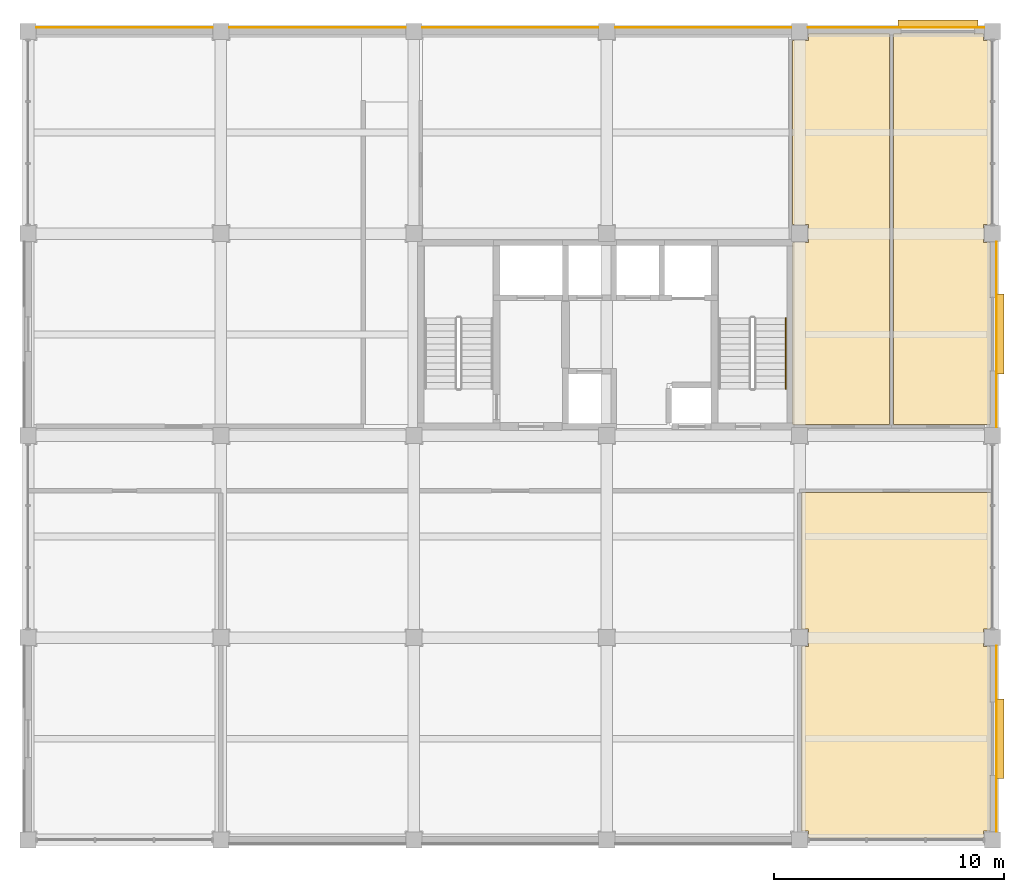
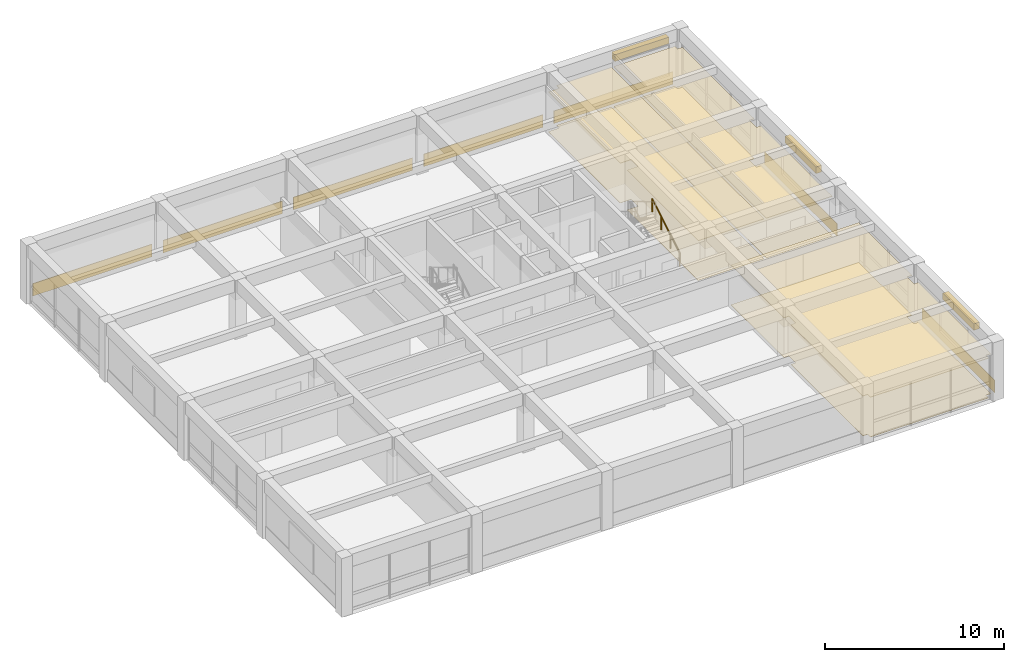
# One storey, part 14 of 14: 13 coverings, 3 shading devices, 1 railing.
"""IFC4 building model written with IfcOpenShell, lengths in metres."""

from ifc_helpers import new_model, si_unit, direction, frame, origin, origin_2d, place, context, subcontext, project, spatial, polyline, rectangle, circle, outline, extrude, material, layer, layer_set, type_object, element, save


model = new_model("IFC4")

# Units and contexts
model_context = context("Model", 3, precision=1e-05, world=origin(), true_north=direction((0.0, 1.0)))
body_context = subcontext(model_context, "Body", "Model", "MODEL_VIEW")
ifc_project = project(units=[si_unit("LENGTHUNIT", "METRE"), si_unit("AREAUNIT", "SQUARE_METRE"), si_unit("VOLUMEUNIT", "CUBIC_METRE"), si_unit("PLANEANGLEUNIT", "RADIAN"), si_unit("MASSUNIT", "GRAM", prefix="KILO")], contexts=[model_context])

# Site, building, storey
site_placement = place(None, origin())
site = spatial("IfcSite", under=ifc_project, at=site_placement, CompositionType="ELEMENT")
building_placement = place(site_placement, origin())
building = spatial("IfcBuilding", under=site, at=building_placement, Name="Kemercrest Conservatory and Botanical Centre", CompositionType="ELEMENT")
storey_placement = place(building_placement, frame((0.0, 0.0, 28.800048828125)))
storey = spatial("IfcBuildingStorey", under=building, at=storey_placement, Name="L07", CompositionType="ELEMENT", Elevation=28.800048828125)

# Coverings
ifc_material_1 = material(Name="Honed limestone almasik ashlar rainscreen", Category="masonry")
ifc_layer_1 = layer(ifc_material_1, 0.0400390625)
ifc_layer_set_1 = layer_set([ifc_layer_1], Name="Honed limestone almasik ashlar rainscreen")
covering_type_1 = type_object("IfcCoveringType", Name="CV-CLD040", PredefinedType="CLADDING", material=ifc_layer_set_1)
covering_1_placement = place(storey_placement, origin())
element("IfcCovering", 1, at=covering_1_placement, inside=storey, type_object=covering_type_1, Name="Exterior stone spandrel cladding (WAL:L07:EXT-265)", PredefinedType="CLADDING", context=body_context, shape_type="SweptSolid", body=[
    extrude(outline(polyline([(176.14990234375, 87.56005859375), (176.18994140625, 87.56005859375), (176.18994140625, 95.639892578125), (176.14990234375, 95.639892578125), (176.14990234375, 87.56005859375)])), origin(), (0.0, 0.0, 1.0), 0.849853515625),
])
covering_2_placement = place(storey_placement, origin())
element("IfcCovering", 2, at=covering_2_placement, inside=storey, type_object=covering_type_1, Name="Exterior stone spandrel cladding (WAL:L07:EXT-266)", PredefinedType="CLADDING", context=body_context, shape_type="SweptSolid", body=[
    extrude(outline(polyline([(176.14990234375, 105.159912109375), (176.18994140625, 105.159912109375), (176.18994140625, 113.239990234375), (176.14990234375, 113.239990234375), (176.14990234375, 105.159912109375)])), origin(), (0.0, 0.0, 1.0), 0.849853515625),
])
covering_3_placement = place(storey_placement, origin())
element("IfcCovering", 3, at=covering_3_placement, inside=storey, type_object=covering_type_1, Name="Exterior stone spandrel cladding (WAL:L07:EXT-267)", PredefinedType="CLADDING", context=body_context, shape_type="SweptSolid", body=[
    extrude(outline(polyline([(175.639892578125, 122.550048828125), (175.639892578125, 122.590087890625), (167.9599609375, 122.590087890625), (167.9599609375, 122.550048828125), (175.639892578125, 122.550048828125)])), origin(), (0.0, 0.0, 1.0), 0.849853515625),
])
covering_4_placement = place(storey_placement, origin())
element("IfcCovering", 4, at=covering_4_placement, inside=storey, type_object=covering_type_1, Name="Exterior stone spandrel cladding (WAL:L07:EXT-268)", PredefinedType="CLADDING", context=body_context, shape_type="SweptSolid", body=[
    extrude(outline(polyline([(167.239990234375, 122.550048828125), (167.239990234375, 122.590087890625), (159.56005859375, 122.590087890625), (159.56005859375, 122.550048828125), (167.239990234375, 122.550048828125)])), origin(), (0.0, 0.0, 1.0), 0.849853515625),
])
covering_5_placement = place(storey_placement, origin())
element("IfcCovering", 5, at=covering_5_placement, inside=storey, type_object=covering_type_1, Name="Exterior stone spandrel cladding (WAL:L07:EXT-269)", PredefinedType="CLADDING", context=body_context, shape_type="SweptSolid", body=[
    extrude(outline(polyline([(158.840087890625, 122.550048828125), (158.840087890625, 122.590087890625), (151.159912109375, 122.590087890625), (151.159912109375, 122.550048828125), (158.840087890625, 122.550048828125)])), origin(), (0.0, 0.0, 1.0), 0.849853515625),
])
covering_6_placement = place(storey_placement, origin())
element("IfcCovering", 6, at=covering_6_placement, inside=storey, type_object=covering_type_1, Name="Exterior stone spandrel cladding (WAL:L07:EXT-270)", PredefinedType="CLADDING", context=body_context, shape_type="SweptSolid", body=[
    extrude(outline(polyline([(150.43994140625, 122.550048828125), (150.43994140625, 122.590087890625), (142.760009765625, 122.590087890625), (142.760009765625, 122.550048828125), (150.43994140625, 122.550048828125)])), origin(), (0.0, 0.0, 1.0), 0.849853515625),
])
covering_7_placement = place(storey_placement, origin())
element("IfcCovering", 7, at=covering_7_placement, inside=storey, type_object=covering_type_1, Name="Exterior stone spandrel cladding (WAL:L07:EXT-271)", PredefinedType="CLADDING", context=body_context, shape_type="SweptSolid", body=[
    extrude(outline(polyline([(142.0400390625, 122.550048828125), (142.0400390625, 122.590087890625), (134.360107421875, 122.590087890625), (134.360107421875, 122.550048828125), (142.0400390625, 122.550048828125)])), origin(), (0.0, 0.0, 1.0), 0.849853515625),
])
ifc_material_2 = material(Name="Perforated acoustic gypsum and mineral-fibre suspended ceiling", Category="gypsum")
ifc_layer_2 = layer(ifc_material_2, 0.034912109375)
ifc_layer_set_2 = layer_set([ifc_layer_2], Name="Perforated acoustic gypsum and mineral-fibre suspended ceiling")
covering_type_2 = type_object("IfcCoveringType", Name="CV-CLG035", PredefinedType="CEILING", material=ifc_layer_set_2)
covering_8_placement = place(storey_placement, frame((0.0, 0.0, 2.699951171875)))
element("IfcCovering", 8, at=covering_8_placement, inside=storey, type_object=covering_type_2, Name="Taxonomic Research Studio suspended acoustic ceiling", PredefinedType="CEILING", context=body_context, shape_type="SweptSolid", body=[
    extrude(outline(polyline([(167.989990234375, 87.280029296875), (175.610107421875, 87.280029296875), (175.610107421875, 87.590087890625), (175.919921875, 87.590087890625), (175.919921875, 95.610107421875), (175.610107421875, 95.610107421875), (175.610107421875, 96.389892578125), (175.919921875, 96.389892578125), (175.919921875, 102.320068359375), (167.679931640625, 102.320068359375), (167.679931640625, 96.389892578125), (167.989990234375, 96.389892578125), (167.989990234375, 95.610107421875), (167.679931640625, 95.610107421875), (167.679931640625, 87.590087890625), (167.989990234375, 87.590087890625), (167.989990234375, 87.280029296875)])), origin(), (0.0, 0.0, 1.0), 0.034912109375),
])
covering_9_placement = place(storey_placement, frame((0.0, 0.0, 2.699951171875)))
element("IfcCovering", 9, at=covering_9_placement, inside=storey, type_object=covering_type_2, Name="Staff Washroom suspended acoustic ceiling", PredefinedType="CEILING", context=body_context, shape_type="SweptSolid", body=[
    extrude(outline(polyline([(167.280029296875, 105.280029296875), (171.52001953125, 105.280029296875), (171.52001953125, 122.320068359375), (167.989990234375, 122.320068359375), (167.989990234375, 122.010009765625), (167.280029296875, 122.010009765625), (167.280029296875, 113.989990234375), (167.989990234375, 113.989990234375), (167.989990234375, 113.2099609375), (167.280029296875, 113.2099609375), (167.280029296875, 105.280029296875)])), origin(), (0.0, 0.0, 1.0), 0.034912109375),
])
covering_10_placement = place(storey_placement, frame((0.0, 0.0, 2.699951171875)))
element("IfcCovering", 10, at=covering_10_placement, inside=storey, type_object=covering_type_2, Name="Accessible Washroom suspended acoustic ceiling", PredefinedType="CEILING", context=body_context, shape_type="SweptSolid", body=[
    extrude(outline(polyline([(171.679931640625, 105.280029296875), (175.919921875, 105.280029296875), (175.919921875, 113.2099609375), (175.610107421875, 113.2099609375), (175.610107421875, 113.989990234375), (175.919921875, 113.989990234375), (175.919921875, 122.010009765625), (175.610107421875, 122.010009765625), (175.610107421875, 122.320068359375), (171.679931640625, 122.320068359375), (171.679931640625, 105.280029296875)])), origin(), (0.0, 0.0, 1.0), 0.034912109375),
])
ifc_material_3 = material(Name="Polished limestone terrazzo and seamless laboratory epoxy flooring", Category="masonry")
ifc_layer_3 = layer(ifc_material_3, 0.02001953125)
ifc_layer_set_3 = layer_set([ifc_layer_3], Name="Polished limestone terrazzo and seamless laboratory epoxy flooring")
covering_type_3 = type_object("IfcCoveringType", Name="CV-FLR020", PredefinedType="FLOORING", material=ifc_layer_set_3)
covering_11_placement = place(storey_placement, origin())
element("IfcCovering", 11, at=covering_11_placement, inside=storey, type_object=covering_type_3, Name="Taxonomic Research Studio floor finish", PredefinedType="FLOORING", context=body_context, shape_type="SweptSolid", body=[
    extrude(outline(polyline([(167.989990234375, 87.280029296875), (175.610107421875, 87.280029296875), (175.610107421875, 87.590087890625), (175.919921875, 87.590087890625), (175.919921875, 95.610107421875), (175.610107421875, 95.610107421875), (175.610107421875, 96.389892578125), (175.919921875, 96.389892578125), (175.919921875, 102.320068359375), (167.679931640625, 102.320068359375), (167.679931640625, 96.389892578125), (167.989990234375, 96.389892578125), (167.989990234375, 95.610107421875), (167.679931640625, 95.610107421875), (167.679931640625, 87.590087890625), (167.989990234375, 87.590087890625), (167.989990234375, 87.280029296875)])), origin(), (0.0, 0.0, 1.0), 0.02001953125),
])
covering_12_placement = place(storey_placement, origin())
element("IfcCovering", 12, at=covering_12_placement, inside=storey, type_object=covering_type_3, Name="Staff Washroom floor finish", PredefinedType="FLOORING", context=body_context, shape_type="SweptSolid", body=[
    extrude(outline(polyline([(167.280029296875, 105.280029296875), (171.52001953125, 105.280029296875), (171.52001953125, 122.320068359375), (167.989990234375, 122.320068359375), (167.989990234375, 122.010009765625), (167.280029296875, 122.010009765625), (167.280029296875, 113.989990234375), (167.989990234375, 113.989990234375), (167.989990234375, 113.2099609375), (167.280029296875, 113.2099609375), (167.280029296875, 105.280029296875)])), origin(), (0.0, 0.0, 1.0), 0.02001953125),
])
covering_13_placement = place(storey_placement, origin())
element("IfcCovering", 13, at=covering_13_placement, inside=storey, type_object=covering_type_3, Name="Accessible Washroom floor finish", PredefinedType="FLOORING", context=body_context, shape_type="SweptSolid", body=[
    extrude(outline(polyline([(171.679931640625, 105.280029296875), (175.919921875, 105.280029296875), (175.919921875, 113.2099609375), (175.610107421875, 113.2099609375), (175.610107421875, 113.989990234375), (175.919921875, 113.989990234375), (175.919921875, 122.010009765625), (175.610107421875, 122.010009765625), (175.610107421875, 122.320068359375), (171.679931640625, 122.320068359375), (171.679931640625, 105.280029296875)])), origin(), (0.0, 0.0, 1.0), 0.02001953125),
])

# Railing
ifc_material_4 = material(Name="Brushed stainless steel wall-mounted handrail", Category="steel")
railing_type = type_object("IfcRailingType", Name="HR-STR090", PredefinedType="HANDRAIL", material=ifc_material_4)
railing_placement = place(storey_placement, frame((166.989990234375, 106.840087890625, 0.16650390625)))
element("IfcRailing", 14, at=railing_placement, inside=storey, type_object=railing_type, Name="L07 ST-V4B stair handrail 1", PredefinedType="HANDRAIL", context=body_context, shape_type="SweptSolid", body=[
    extrude(circle(Radius=0.02392578125, at=origin_2d()), frame((0.0, 0.0, 0.8759765625), z_axis=(0.0, 0.859260807169, 0.511537745687), x_axis=(-1.0, 0.0, 0.0)), (0.0, 0.0, 1.0), 3.584228515625),
    extrude(circle(Radius=0.02099609375, at=origin_2d()), origin(), (0.0, 0.0, 1.0), 0.851806640625),
    extrude(circle(Radius=0.02099609375, at=origin_2d()), frame((0.0, 1.026611328125, 0.611083984375)), (0.0, 0.0, 1.0), 0.851806640625),
    extrude(circle(Radius=0.02099609375, at=origin_2d()), frame((0.0, 2.05322265625, 1.222412109375)), (0.0, 0.0, 1.0), 0.851806640625),
    extrude(circle(Radius=0.02099609375, at=origin_2d()), frame((0.0, 3.079833984375, 1.83349609375)), (0.0, 0.0, 1.0), 0.851806640625),
])

# Shading devices
ifc_material_5 = material(Name="Architectural bronze-anodized extruded aluminium", Category="aluminium")
shading_device_type_1 = type_object("IfcShadingDeviceType", Name="SH-JL01", PredefinedType="JALOUSIE", material=ifc_material_5)
shading_device_1_placement = place(storey_placement, frame((176.322998046875, 91.60009765625, 2.85498046875), z_axis=(0.0, 0.0, 1.0), x_axis=(0.0, 1.0, 0.0)))
element("IfcShadingDevice", 15, at=shading_device_1_placement, inside=storey, type_object=shading_device_type_1, Name="Solar control louvre visor SH-JL01 (WIN:L07:EXT-265)", PredefinedType="JALOUSIE", context=body_context, shape_type="SweptSolid", body=[
    extrude(rectangle(XDim=3.47998046875, YDim=0.35009765625, at=origin_2d()), origin(), (0.0, 0.0, 1.0), 0.449951171875),
])
shading_device_type_2 = type_object("IfcShadingDeviceType", Name="SH-JL02", PredefinedType="JALOUSIE", material=ifc_material_5)
shading_device_2_placement = place(storey_placement, frame((176.322998046875, 109.219970703125, 2.85498046875), z_axis=(0.0, 0.0, 1.0), x_axis=(0.0, 1.0, 0.0)))
element("IfcShadingDevice", 16, at=shading_device_2_placement, inside=storey, type_object=shading_device_type_2, Name="Solar control louvre visor SH-JL02 (WIN:L07:EXT-266)", PredefinedType="JALOUSIE", context=body_context, shape_type="SweptSolid", body=[
    extrude(rectangle(XDim=3.47998046875, YDim=0.35009765625, at=origin_2d()), origin(), (0.0, 0.0, 1.0), 0.449951171875),
])
shading_device_type_3 = type_object("IfcShadingDeviceType", Name="SH-JL03", PredefinedType="JALOUSIE", material=ifc_material_5)
shading_device_3_placement = place(storey_placement, frame((173.6201171875, 122.722900390625, 2.85498046875), z_axis=(0.0, 0.0, 1.0), x_axis=(-1.0, 0.0, 0.0)))
element("IfcShadingDevice", 17, at=shading_device_3_placement, inside=storey, type_object=shading_device_type_3, Name="Solar control louvre visor SH-JL03 (WIN:L07:EXT-267)", PredefinedType="JALOUSIE", context=body_context, shape_type="SweptSolid", body=[
    extrude(rectangle(XDim=3.47998046875, YDim=0.35009765625, at=origin_2d()), origin(), (0.0, 0.0, 1.0), 0.449951171875),
])

save(model, "model.ifc")
